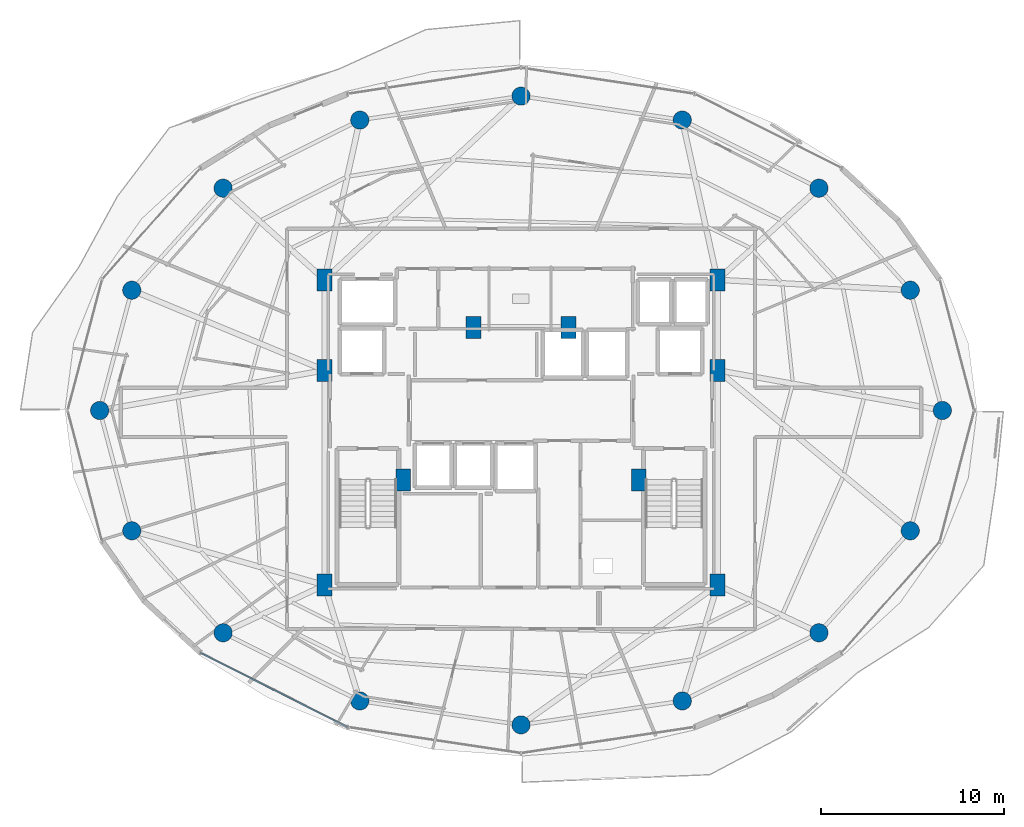
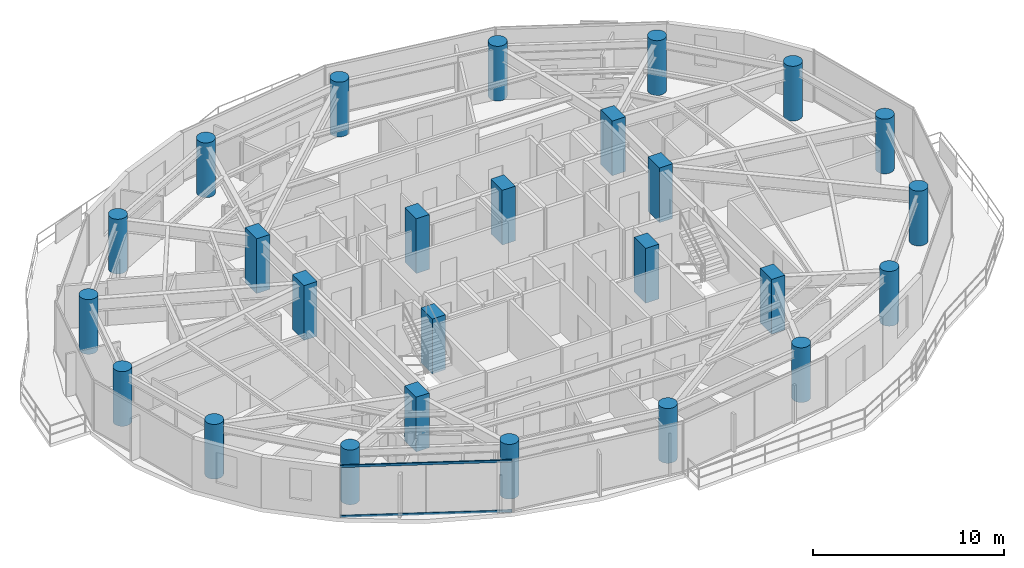
# One storey, part 1 of 29: 26 columns, 2 members, 1 element without a shape of its own.
"""IFC4 building model written with IfcOpenShell, lengths in metres."""

import ifcopenshell
import ifcopenshell.guid

model = None  # the IFC model being written
_history = None  # IfcOwnerHistory: only IFC2X3 demands one
_inside = {}  # id of a spatial element -> (the spatial element, [elements in it])
_under = {}  # id of a project, library or spatial element -> (it, [spatial elements below it])
_declared = {}  # id of a project -> (the project, [libraries it declares])
_typed = {}  # id of a type object -> (the type object, [elements of that type])
_made_of = {}  # id of a material, layer set ... -> (it, [elements and type objects made of it])


def new_model(schema):
    """Start an empty IFC model of exactly this schema.

    Asked for "IFC4X3", IfcOpenShell would pick the latest addendum, in which some entities
    have other attributes; the version numbers below select the first issue.
    IFC2X3 requires an IfcOwnerHistory on every rooted entity: one is made here for all.
    """
    global model, _history
    if schema == "IFC4X3":
        model = ifcopenshell.file(schema_version=(4, 3, 0, 0))
    else:
        model = ifcopenshell.file(schema=schema)
    _inside.clear()
    _under.clear()
    _declared.clear()
    _typed.clear()
    _made_of.clear()
    _history = None
    if model.schema == "IFC2X3":
        org = make("IfcOrganization", Name="unknown")
        user = make(
            "IfcPersonAndOrganization",
            ThePerson=make("IfcPerson", FamilyName="unknown"),
            TheOrganization=org,
        )
        app = make(
            "IfcApplication",
            ApplicationDeveloper=org,
            Version="unknown",
            ApplicationFullName="unknown",
            ApplicationIdentifier="unknown",
        )
        _history = make(
            "IfcOwnerHistory",
            OwningUser=user,
            OwningApplication=app,
            ChangeAction="ADDED",
            CreationDate=0,
        )
    return model


def make(cls, **values):
    """One entity of the class cls with the attributes given. An attribute that is None is left unset."""
    return model.create_entity(
        cls, **{name: value for name, value in values.items() if value is not None}
    )


def rooted(cls, **values):
    """An entity with a GlobalId (a new one), such as an element, a storey or a relation."""
    return make(cls, GlobalId=ifcopenshell.guid.new(), OwnerHistory=_history, **values)


def si_unit(unit_type, name, prefix=None):
    """IfcSIUnit, for example si_unit("LENGTHUNIT", "METRE", prefix="MILLI")."""
    return make("IfcSIUnit", UnitType=unit_type, Prefix=prefix, Name=name)


def assignment(units):
    """IfcUnitAssignment: the units of a project."""
    return None if units is None else make("IfcUnitAssignment", Units=units)


def point(xyz):
    """IfcCartesianPoint."""
    return None if xyz is None else make("IfcCartesianPoint", Coordinates=xyz)


def direction(xyz):
    """IfcDirection."""
    return None if xyz is None else make("IfcDirection", DirectionRatios=xyz)


def frame(location, z_axis=None, x_axis=None):
    """IfcAxis2Placement3D, a coordinate frame: its origin and axes. An axis left out is left unset."""
    return make(
        "IfcAxis2Placement3D",
        Location=point(location),
        Axis=direction(z_axis),
        RefDirection=direction(x_axis),
    )


def frame_2d(location, x_axis=None):
    """IfcAxis2Placement2D, a coordinate frame in the plane: its origin and x axis."""
    return make(
        "IfcAxis2Placement2D", Location=point(location), RefDirection=direction(x_axis)
    )


def origin():
    """The frame at (0, 0, 0) with its axes left unset."""
    return frame((0.0, 0.0, 0.0))


def origin_2d():
    """The frame at (0, 0) in the plane with its x axis left unset."""
    return frame_2d((0.0, 0.0))


def place(relative_to, where):
    """IfcLocalPlacement: puts the frame where relative to a parent placement (None: the world)."""
    return make(
        "IfcLocalPlacement", PlacementRelTo=relative_to, RelativePlacement=where
    )


def context(
    kind, dimensions, precision=None, world=None, true_north=None, identifier=None
):
    """IfcGeometricRepresentationContext, for example the 3D "Model" context."""
    return make(
        "IfcGeometricRepresentationContext",
        ContextIdentifier=identifier,
        ContextType=kind,
        CoordinateSpaceDimension=dimensions,
        Precision=precision,
        WorldCoordinateSystem=world,
        TrueNorth=true_north,
    )


def subcontext(parent, identifier, kind, view, scale=None):
    """IfcGeometricRepresentationSubContext, for example "Body" below "Model"."""
    return make(
        "IfcGeometricRepresentationSubContext",
        ContextIdentifier=identifier,
        ContextType=kind,
        ParentContext=parent,
        TargetScale=scale,
        TargetView=view,
    )


def project(units=None, contexts=None):
    """IfcProject with its units and contexts."""
    return rooted(
        "IfcProject",
        Name="project",
        RepresentationContexts=contexts,
        UnitsInContext=assignment(units),
    )


def spatial(cls, under=None, at=None, **own):
    """A site, building, storey or space (cls), placed at a placement, below another one or the project."""
    s = rooted(cls, ObjectPlacement=at, **own)
    if under is not None:
        _under.setdefault(under.id(), (under, []))[1].append(s)
    return s


def profile(cls, at=None, kind="AREA", **sizes):
    """A parametric profile (cls). Its sizes go by their IFC names, for example OverallWidth=200.0."""
    return make(cls, ProfileType=kind, Position=at, **sizes)


def rectangle(**sizes):
    """IfcRectangleProfileDef."""
    return profile("IfcRectangleProfileDef", **sizes)


def hollow_rectangle(**sizes):
    """IfcRectangleHollowProfileDef."""
    return profile("IfcRectangleHollowProfileDef", **sizes)


def circle(**sizes):
    """IfcCircleProfileDef."""
    return profile("IfcCircleProfileDef", **sizes)


def extrude(swept, where, along, depth):
    """IfcExtrudedAreaSolid: the profile swept, set in the frame where, extruded along a direction by depth."""
    return make(
        "IfcExtrudedAreaSolid",
        SweptArea=swept,
        Position=where,
        ExtrudedDirection=direction(along),
        Depth=depth,
    )


def shape(context_of_items, identifier, shape_type, items):
    """IfcShapeRepresentation: the items that make up one representation, for example the "Body"."""
    return make(
        "IfcShapeRepresentation",
        ContextOfItems=context_of_items,
        RepresentationIdentifier=identifier,
        RepresentationType=shape_type,
        Items=items,
    )


def material(Name=None, Category=None):
    """IfcMaterial."""
    return make("IfcMaterial", Name=Name, Category=Category)


def material_profile(
    of_material, cross_section, Name=None, Category=None, Priority=None
):
    """IfcMaterialProfile: a cross section and its material."""
    return make(
        "IfcMaterialProfile",
        Name=Name,
        Material=of_material,
        Profile=cross_section,
        Priority=Priority,
        Category=Category,
    )


def profile_set(profiles, Name=None, composite=None):
    """IfcMaterialProfileSet."""
    return make(
        "IfcMaterialProfileSet",
        Name=Name,
        MaterialProfiles=profiles,
        CompositeProfile=composite,
    )


def made_of(thing, what):
    """Note that an element or type object is made of a material, layer set ...; save() writes the relation."""
    if what is not None:
        _made_of.setdefault(what.id(), (what, []))[1].append(thing)
    return thing


def type_object(cls, material=None, **own):
    """A type object (cls), such as IfcWallType, which elements share."""
    return made_of(rooted(cls, **own), material)


def element(
    cls,
    number,
    at=None,
    inside=None,
    cuts=None,
    type_object=None,
    material=None,
    context=None,
    identifier="Body",
    shape_type=None,
    held_by="IfcProductDefinitionShape",
    body=None,
    shapes=None,
    **own,
):
    """One element of the class cls, such as IfcWall. Its Tag is "e" and its number.

    at: its placement. inside: the storey or other place that contains it. cuts: it is an
    opening in that element (IfcRelVoidsElement). A single representation is given by context,
    identifier, shape_type and body (its items); several are given by shapes. held_by: the class
    of the entity that holds the representations. save() writes the other relations.
    """
    e = rooted(cls, Tag="e%d" % number, ObjectPlacement=at, **own)
    if body is not None:
        shapes = [shape(context, identifier, shape_type, body)]
    if shapes is not None:
        e.Representation = make(held_by, Representations=shapes)
    if inside is not None:
        _inside.setdefault(inside.id(), (inside, []))[1].append(e)
    if cuts is not None:
        rooted(
            "IfcRelVoidsElement", RelatingBuildingElement=cuts, RelatedOpeningElement=e
        )
    if type_object is not None:
        _typed.setdefault(type_object.id(), (type_object, []))[1].append(e)
    return made_of(e, material)


def aggregate(whole, parts):
    """IfcRelAggregates: a whole, such as a stair, and the parts it consists of."""
    return rooted("IfcRelAggregates", RelatingObject=whole, RelatedObjects=parts)


def save(model, path):
    """Write the relations noted so far, then the file.

    IfcRelAggregates (storeys below a building ...), IfcRelContainedInSpatialStructure (elements
    in a storey), IfcRelDefinesByType, IfcRelAssociatesMaterial and IfcRelDeclares: one each for
    every whole, place, type object, material and project.
    """
    for whole, parts in _under.values():
        aggregate(whole, parts)
    for where, things in _inside.values():
        rooted(
            "IfcRelContainedInSpatialStructure",
            RelatedElements=things,
            RelatingStructure=where,
        )
    for kind, things in _typed.values():
        rooted("IfcRelDefinesByType", RelatedObjects=things, RelatingType=kind)
    for what, things in _made_of.values():
        rooted("IfcRelAssociatesMaterial", RelatedObjects=things, RelatingMaterial=what)
    for by, libraries in _declared.values():
        rooted("IfcRelDeclares", RelatingContext=by, RelatedDefinitions=libraries)
    model.write(path)


model = new_model("IFC4")

# Units and contexts
model_context = context("Model", 3, precision=1e-05, world=origin(), true_north=direction((0.0, 1.0)))
body_context = subcontext(model_context, "Body", "Model", "MODEL_VIEW")
ifc_project = project(units=[si_unit("LENGTHUNIT", "METRE"), si_unit("AREAUNIT", "SQUARE_METRE"), si_unit("VOLUMEUNIT", "CUBIC_METRE"), si_unit("PLANEANGLEUNIT", "RADIAN"), si_unit("MASSUNIT", "GRAM", prefix="KILO")], contexts=[model_context])

# Site, building, storey
site_placement = place(None, origin())
site = spatial("IfcSite", under=ifc_project, at=site_placement, CompositionType="ELEMENT")
building_placement = place(site_placement, origin())
building = spatial("IfcBuilding", under=site, at=building_placement, Name="Vorneva Point Tower", CompositionType="ELEMENT")
storey_placement = place(building_placement, frame((0.0, 0.0, 167.60009765625)))
storey = spatial("IfcBuildingStorey", under=building, at=storey_placement, Name="L45", CompositionType="ELEMENT", Elevation=167.60009765625)

# Columns
ifc_material_1 = material(Name="Concrete B60 (C50/60)", Category="concrete")
ifc_material_profile_1 = material_profile(ifc_material_1, circle(Radius=0.5, at=origin_2d()), Name="RC-CIRC 1000")
ifc_profile_set_1 = profile_set([ifc_material_profile_1], Name="Concrete B60 (C50/60)")
column_type_1 = type_object("IfcColumnType", Name="COL-RC1000C", PredefinedType="COLUMN", material=ifc_profile_set_1)
for number, where, z_axis, x_axis, name in (
    (1, (61.050048828125, 26.0, 0.0), (0.0, 0.0, 1.0), (1.0, 0.0, 0.0), "L45 Perimeter Column P01"),
    (2, (59.29541015625, 32.582275390625, 0.0), (0.0, 0.0, 1.0), (0.923879532511, 0.382683432365, 0.0), "L45 Perimeter Column P02"),
    (3, (54.298828125, 38.162109375, 0.0), (0.0, 0.0, 1.0), (0.707106781187, 0.707106781187, 0.0), "L45 Perimeter Column P03"),
    (4, (46.82080078125, 41.890625, 0.0), (0.0, 0.0, 1.0), (0.382683432365, 0.923879532511, 0.0), "L45 Perimeter Column P04"),
    (5, (38.0, 43.199951171875, 0.0), (0.0, 0.0, 1.0), (0.0, 1.0, 0.0), "L45 Perimeter Column P05"),
    (6, (29.17919921875, 41.890625, 0.0), (0.0, 0.0, 1.0), (-0.382683432365, 0.923879532511, 0.0), "L45 Perimeter Column P06"),
    (7, (21.701171875, 38.162109375, 0.0), (0.0, 0.0, 1.0), (-0.707106781187, 0.707106781187, 0.0), "L45 Perimeter Column P07"),
    (8, (16.70458984375, 32.582275390625, 0.0), (0.0, 0.0, 1.0), (-0.923879532511, 0.382683432365, 0.0), "L45 Perimeter Column P08"),
    (9, (14.949951171875, 26.0, 0.0), (0.0, 0.0, 1.0), (-1.0, 0.0, 0.0), "L45 Perimeter Column P09"),
    (10, (16.70458984375, 19.417724609375, 0.0), (0.0, 0.0, 1.0), (-0.923879532511, -0.382683432365, 0.0), "L45 Perimeter Column P10"),
    (11, (21.701171875, 13.837890625, 0.0), (0.0, 0.0, 1.0), (-0.707106781187, -0.707106781187, 0.0), "L45 Perimeter Column P11"),
    (12, (29.17919921875, 10.109375, 0.0), (0.0, 0.0, 1.0), (-0.382683432365, -0.923879532511, 0.0), "L45 Perimeter Column P12"),
    (13, (38.0, 8.800048828125, 0.0), (0.0, 0.0, 1.0), (0.0, -1.0, 0.0), "L45 Perimeter Column P13"),
    (14, (46.82080078125, 10.109375, 0.0), (0.0, 0.0, 1.0), (0.382683432365, -0.923879532511, 0.0), "L45 Perimeter Column P14"),
    (15, (54.298828125, 13.837890625, 0.0), (0.0, 0.0, 1.0), (0.707106781187, -0.707106781187, 0.0), "L45 Perimeter Column P15"),
    (16, (59.29541015625, 19.417724609375, 0.0), (0.0, 0.0, 1.0), (0.923879532511, -0.382683432365, 0.0), "L45 Perimeter Column P16"),
):
    element("IfcColumn", number, at=place(storey_placement, frame(where, z_axis=z_axis, x_axis=x_axis)), inside=storey, type_object=column_type_1, Name=name, PredefinedType="COLUMN", context=body_context, shape_type="SweptSolid", body=[
        extrude(circle(Radius=0.5, at=origin_2d()), origin(), (0.0, 0.0, 1.0), 3.5),
    ])
ifc_material_profile_2 = material_profile(ifc_material_1, rectangle(XDim=0.800048828125, YDim=1.199951171875, at=origin_2d()), Name="RC-PIL 1200x800")
ifc_profile_set_2 = profile_set([ifc_material_profile_2], Name="Concrete B60 (C50/60)")
column_type_2 = type_object("IfcColumnType", Name="PIL-RC1200x800", PredefinedType="PILASTER", material=ifc_profile_set_2)
for number, where, z_axis, x_axis, name in (
    (17, (27.25, 16.449951171875, 0.0), (0.0, 0.0, 1.0), (1.0, 0.0, 0.0), "L45 Core Pilaster CP1"),
    (18, (27.25, 28.199951171875, 0.0), (0.0, 0.0, 1.0), (1.0, 0.0, 0.0), "L45 Core Pilaster CP2"),
    (19, (27.25, 33.14990234375, 0.0), (0.0, 0.0, 1.0), (1.0, 0.0, 0.0), "L45 Core Pilaster CP3"),
    (20, (31.550048828125, 22.199951171875, 0.0), (0.0, 0.0, 1.0), (1.0, 0.0, 0.0), "L45 Core Pilaster CP4"),
    (21, (48.75, 33.14990234375, 0.0), (0.0, 0.0, 1.0), (1.0, 0.0, 0.0), "L45 Core Pilaster CP5"),
    (22, (48.75, 28.199951171875, 0.0), (0.0, 0.0, 1.0), (1.0, 0.0, 0.0), "L45 Core Pilaster CP6"),
    (23, (48.75, 16.449951171875, 0.0), (0.0, 0.0, 1.0), (1.0, 0.0, 0.0), "L45 Core Pilaster CP7"),
    (24, (44.449951171875, 22.199951171875, 0.0), (0.0, 0.0, 1.0), (1.0, 0.0, 0.0), "L45 Core Pilaster CP8"),
    (25, (35.39990234375, 30.550048828125, 0.0), (0.0, 0.0, 1.0), (1.0, 0.0, 0.0), "L45 Core Pilaster CP9"),
    (26, (40.60009765625, 30.550048828125, 0.0), (0.0, 0.0, 1.0), (1.0, 0.0, 0.0), "L45 Core Pilaster CP10"),
):
    element("IfcColumn", number, at=place(storey_placement, frame(where, z_axis=z_axis, x_axis=x_axis)), inside=storey, type_object=column_type_2, Name=name, PredefinedType="PILASTER", context=body_context, shape_type="SweptSolid", body=[
        extrude(rectangle(XDim=0.800048828125, YDim=1.199951171875, at=origin_2d()), origin(), (0.0, 0.0, 1.0), 3.5),
    ])

# Curtain wall, members
ifc_material_2 = material(Name="Pale anodised aluminium", Category="aluminium")
curtain_wall_type = type_object("IfcCurtainWallType", Name="CW-RES-SYS", PredefinedType="NOTDEFINED", material=ifc_material_2)
curtain_wall_placement = place(storey_placement, origin())
curtain_wall = element("IfcCurtainWall", 27, at=curtain_wall_placement, inside=storey, type_object=curtain_wall_type, Name="L45 Unitised Curtain Wall CW-L45-R04", PredefinedType="NOTDEFINED")
ifc_material_profile_3 = material_profile(ifc_material_2, hollow_rectangle(XDim=0.074951171875, YDim=0.14990234375, WallThickness=0.00390625, at=origin_2d()), Name="AL-TRN 150x75x4")
ifc_profile_set_3 = profile_set([ifc_material_profile_3], Name="Pale anodised aluminium")
member_type = type_object("IfcMemberType", Name="CW-TRN-150", PredefinedType="USERDEFINED", material=ifc_profile_set_3)
member_1_placement = place(storey_placement, frame((20.4638671875, 12.74169921875, 0.02001953125), z_axis=(0.892572392955, -0.450904117673, 0.0), x_axis=(0.450904117673, 0.892572392955, 0.0)))
member_1 = element("IfcMember", 28, at=member_1_placement, type_object=member_type, Name="CW-L45-R04 Transom 01.1", ObjectType="TRANSOM", PredefinedType="USERDEFINED", context=body_context, shape_type="SweptSolid", body=[
    extrude(hollow_rectangle(XDim=0.074951171875, YDim=0.14990234375, WallThickness=0.00390625, at=origin_2d()), origin(), (0.0, 0.0, 1.0), 9.013916015625),
])
member_2_placement = place(storey_placement, frame((20.4638671875, 12.74169921875, 3.219970703125), z_axis=(0.892572392955, -0.450904117673, 0.0), x_axis=(0.450904117673, 0.892572392955, 0.0)))
member_2 = element("IfcMember", 29, at=member_2_placement, type_object=member_type, Name="CW-L45-R04 Transom 01.2", ObjectType="TRANSOM", PredefinedType="USERDEFINED", context=body_context, shape_type="SweptSolid", body=[
    extrude(hollow_rectangle(XDim=0.074951171875, YDim=0.14990234375, WallThickness=0.00390625, at=origin_2d()), origin(), (0.0, 0.0, 1.0), 9.013916015625),
])
aggregate(curtain_wall, [member_1, member_2])

save(model, "model.ifc")
